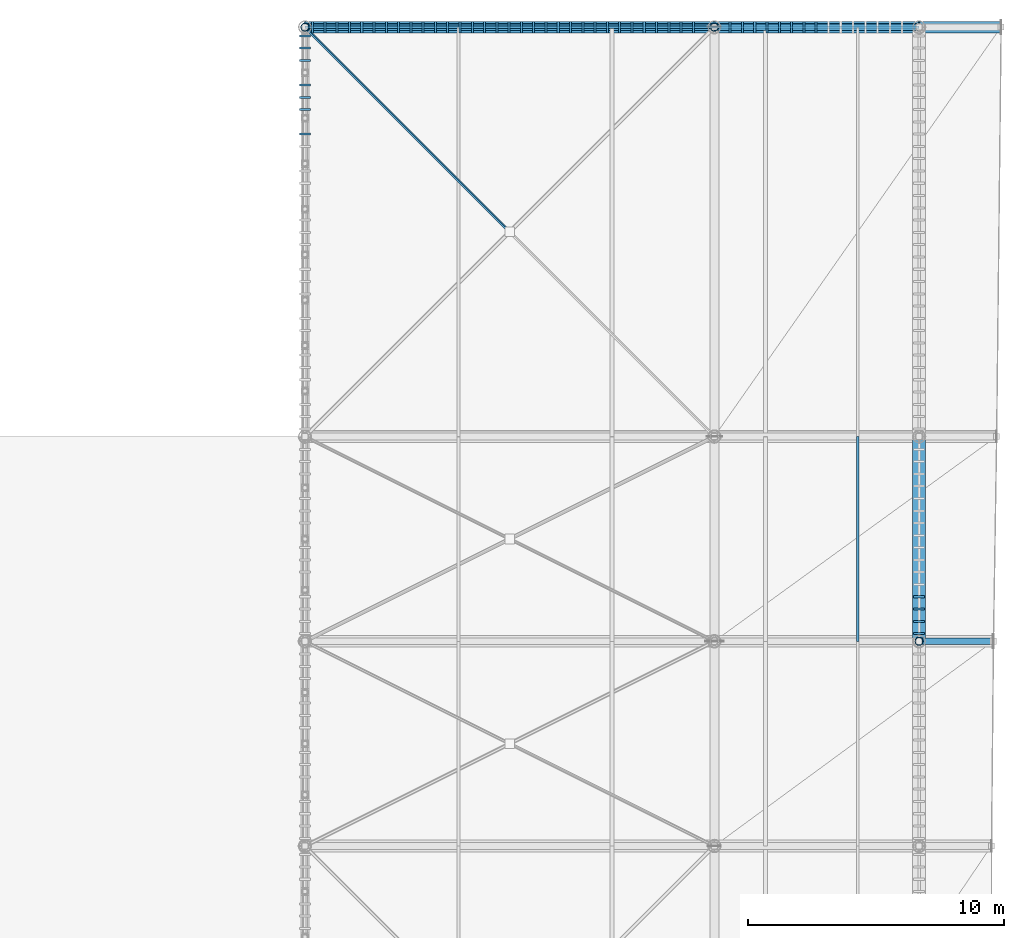
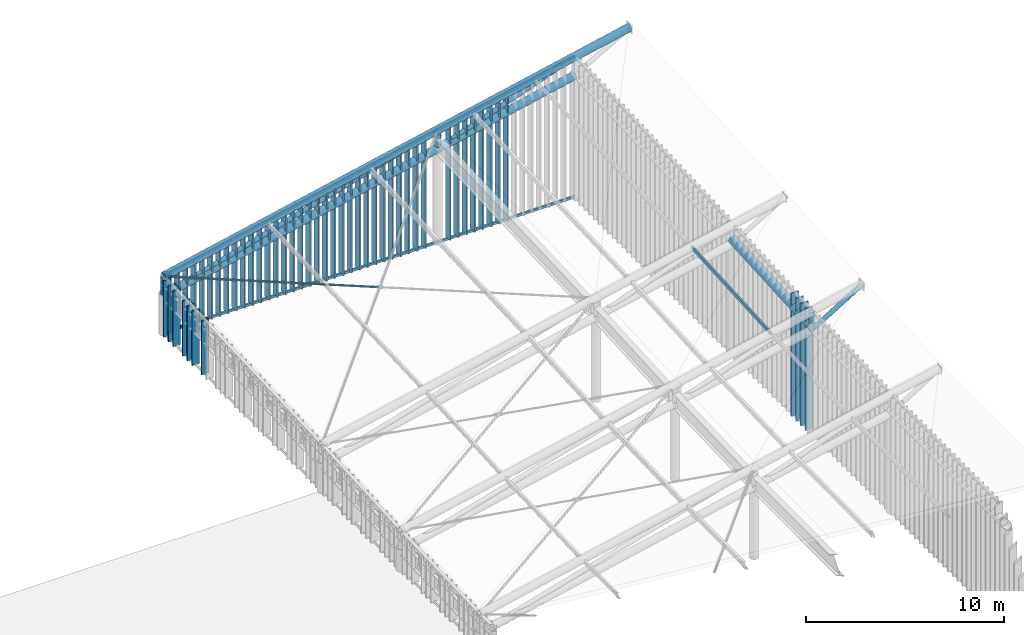
# One storey, part 12 of 25: 63 members, 1 beam.
"""IFC4 building model written with IfcOpenShell, lengths in metres."""

from ifc_helpers import new_model, si_unit, direction, frame, origin, origin_2d, place, context, subcontext, project, spatial, rectangle, hollow_rectangle, hollow_circle, extrude, material, material_profile, profile_set, type_object, element, save


model = new_model("IFC4")

# Units and contexts
model_context = context("Model", 3, precision=1e-05, world=origin(), true_north=direction((0.0, 1.0)))
body_context = subcontext(model_context, "Body", "Model", "MODEL_VIEW")
ifc_project = project(units=[si_unit("LENGTHUNIT", "METRE"), si_unit("AREAUNIT", "SQUARE_METRE"), si_unit("VOLUMEUNIT", "CUBIC_METRE"), si_unit("PLANEANGLEUNIT", "RADIAN"), si_unit("MASSUNIT", "GRAM", prefix="KILO")], contexts=[model_context])

# Site, building, storey
site_placement = place(None, origin())
site = spatial("IfcSite", under=ifc_project, at=site_placement, CompositionType="ELEMENT")
building_placement = place(site_placement, origin())
building = spatial("IfcBuilding", under=site, at=building_placement, Name="Haebicheon Civic Stadium", CompositionType="ELEMENT")
storey_placement = place(building_placement, frame((0.0, 0.0, 31.199951171875)))
storey = spatial("IfcBuildingStorey", under=building, at=storey_placement, Name="RF", CompositionType="ELEMENT", Elevation=31.199951171875)

# Members
ifc_material_1 = material(Name="White painted steel SM490", Category="steel")
ifc_material_profile_1 = material_profile(ifc_material_1, hollow_circle(Radius=0.05712890625, WallThickness=0.006103515625, at=origin_2d()), Name="CHS-114.3x6.0")
ifc_profile_set_1 = profile_set([ifc_material_profile_1], Name="White painted steel SM490")
member_type_1 = type_object("IfcMemberType", Name="BRC-CHS114", PredefinedType="BRACE", material=ifc_profile_set_1)
member_1_placement = place(storey_placement, frame((48.0, 136.0, 3.52099609375), z_axis=(0.701883324808, -0.701883324808, 0.121324345097), x_axis=(0.707106781187, 0.707106781187, 0.0)))
element("IfcMember", 1, at=member_1_placement, inside=storey, type_object=member_type_1, material=ifc_profile_set_1, Name="BR114 diagonal brace CAN-WEST canopy bay 8 B1", PredefinedType="BRACE", context=body_context, shape_type="SweptSolid", body=[
    extrude(hollow_circle(Radius=0.05712890625, WallThickness=0.006103515625, at=origin_2d()), origin(), (0.0, 0.0, 1.0), 11.3251953125),
])
ifc_material_2 = material(Name="White painted steel SM490", Category="steel")
ifc_material_profile_2 = material_profile(ifc_material_2, hollow_circle(Radius=0.1337890625, WallThickness=0.011962890625, at=origin_2d()), Name="CHS-267.4x12.0")
ifc_profile_set_2 = profile_set([ifc_material_profile_2], Name="White painted steel SM490")
member_type_2 = type_object("IfcMemberType", Name="BRC-CHS267", PredefinedType="BRACE", material=ifc_profile_set_2)
member_2_placement = place(storey_placement, frame((72.118896484375, 112.0, 6.448974609375), z_axis=(0.853187395002, 0.0, 0.521604513984), x_axis=(0.0, 1.0, 0.0)))
element("IfcMember", 2, at=member_2_placement, inside=storey, type_object=member_type_2, material=ifc_profile_set_2, Name="BR267 diagonal brace CAN-WEST truss 7 tip", PredefinedType="BRACE", context=body_context, shape_type="SweptSolid", body=[
    extrude(hollow_circle(Radius=0.1337890625, WallThickness=0.011962890625, at=origin_2d()), origin(), (0.0, 0.0, 1.0), 3.259521484375),
])
member_3_placement = place(storey_placement, frame((48.0, 136.0, 2.37109375), z_axis=(0.961231166105, 0.0, 0.275743803753), x_axis=(0.0, 1.0, 0.0)))
element("IfcMember", 3, at=member_3_placement, inside=storey, type_object=member_type_2, material=ifc_profile_set_2, Name="BR267 diagonal brace CAN-WEST truss 9 D1", PredefinedType="BRACE", context=body_context, shape_type="SweptSolid", body=[
    extrude(hollow_circle(Radius=0.1337890625, WallThickness=0.011962890625, at=origin_2d()), origin(), (0.0, 0.0, 1.0), 16.645263671875),
])
member_4_placement = place(storey_placement, frame((64.0, 136.0, 5.81103515625), z_axis=(0.941257424358, 0.0, 0.337689888939), x_axis=(0.0, 1.0, 0.0)))
element("IfcMember", 4, at=member_4_placement, inside=storey, type_object=member_type_2, material=ifc_profile_set_2, Name="BR267 diagonal brace CAN-WEST truss 9 D2", PredefinedType="BRACE", context=body_context, shape_type="SweptSolid", body=[
    extrude(hollow_circle(Radius=0.1337890625, WallThickness=0.011962890625, at=origin_2d()), origin(), (0.0, 0.0, 1.0), 8.499267578125),
])
ifc_material_3 = material(Name="White painted steel SM490", Category="steel")
ifc_material_profile_3 = material_profile(ifc_material_3, hollow_circle(Radius=0.228515625, WallThickness=0.02197265625, at=origin_2d()), Name="CHS-457.2x22.0")
ifc_profile_set_3 = profile_set([ifc_material_profile_3], Name="White painted steel SM490")
member_type_3 = type_object("IfcMemberType", Name="CHD-CHS457", PredefinedType="CHORD", material=ifc_profile_set_3)
member_5_placement = place(storey_placement, frame((48.0, 136.0, 3.52099609375), z_axis=(0.977657968939, 0.0, 0.210202035598), x_axis=(0.0, 1.0, 0.0)))
element("IfcMember", 5, at=member_5_placement, inside=storey, type_object=member_type_3, material=ifc_profile_set_3, Name="CH457 truss chord CAN-WEST 9 top", PredefinedType="CHORD", context=body_context, shape_type="SweptSolid", body=[
    extrude(hollow_circle(Radius=0.228515625, WallThickness=0.02197265625, at=origin_2d()), origin(), (0.0, 0.0, 1.0), 27.821533203125),
])
member_6_placement = place(storey_placement, frame((48.0, 136.0, 2.37109375), z_axis=(0.977659849808, 0.0, 0.210193287411), x_axis=(0.0, 1.0, 0.0)))
element("IfcMember", 6, at=member_6_placement, inside=storey, type_object=member_type_3, material=ifc_profile_set_3, Name="CH457 truss chord CAN-WEST 9 bottom", PredefinedType="CHORD", context=body_context, shape_type="SweptSolid", body=[
    extrude(hollow_circle(Radius=0.228515625, WallThickness=0.02197265625, at=origin_2d()), origin(), (0.0, 0.0, 1.0), 24.54833984375),
])
ifc_material_4 = material(Name="Acetylated timber GL28h", Category="wood")
ifc_material_profile_4 = material_profile(ifc_material_4, rectangle(XDim=0.080078125, YDim=0.43994140625, at=origin_2d()), Name="TMB-LOUV-80x440")
ifc_profile_set_4 = profile_set([ifc_material_profile_4], Name="Acetylated timber GL28h")
member_type_4 = type_object("IfcMemberType", Name="CRN-LVR-440x80", PredefinedType="PLATE", material=ifc_profile_set_4)
member_7_placement = place(storey_placement, frame((48.0, 131.820068359375, 0.050048828125), z_axis=(0.0, 0.0, 1.0), x_axis=(0.0, 1.0, 0.0)))
element("IfcMember", 7, at=member_7_placement, inside=storey, type_object=member_type_4, material=ifc_profile_set_4, Name="Crown wind-baffle slat W.8.25", PredefinedType="PLATE", context=body_context, shape_type="SweptSolid", body=[
    extrude(rectangle(XDim=0.080078125, YDim=0.43994140625, at=origin_2d()), origin(), (0.0, 0.0, 1.0), 3.323974609375),
])
member_8_placement = place(storey_placement, frame((48.0, 132.780029296875, 0.050048828125), z_axis=(0.0, 0.0, 1.0), x_axis=(0.0, 1.0, 0.0)))
element("IfcMember", 8, at=member_8_placement, inside=storey, type_object=member_type_4, material=ifc_profile_set_4, Name="Crown wind-baffle slat W.8.27", PredefinedType="PLATE", context=body_context, shape_type="SweptSolid", body=[
    extrude(rectangle(XDim=0.080078125, YDim=0.43994140625, at=origin_2d()), origin(), (0.0, 0.0, 1.0), 3.364013671875),
])
member_9_placement = place(storey_placement, frame((48.0, 133.260009765625, 0.050048828125), z_axis=(0.0, 0.0, 1.0), x_axis=(0.0, 1.0, 0.0)))
element("IfcMember", 9, at=member_9_placement, inside=storey, type_object=member_type_4, material=ifc_profile_set_4, Name="Crown wind-baffle slat W.8.28", PredefinedType="PLATE", context=body_context, shape_type="SweptSolid", body=[
    extrude(rectangle(XDim=0.080078125, YDim=0.43994140625, at=origin_2d()), origin(), (0.0, 0.0, 1.0), 3.385009765625),
])
member_10_placement = place(storey_placement, frame((48.0, 133.739990234375, 0.050048828125), z_axis=(0.0, 0.0, 1.0), x_axis=(0.0, 1.0, 0.0)))
element("IfcMember", 10, at=member_10_placement, inside=storey, type_object=member_type_4, material=ifc_profile_set_4, Name="Crown wind-baffle slat W.8.29", PredefinedType="PLATE", context=body_context, shape_type="SweptSolid", body=[
    extrude(rectangle(XDim=0.080078125, YDim=0.43994140625, at=origin_2d()), origin(), (0.0, 0.0, 1.0), 3.405029296875),
])
member_11_placement = place(storey_placement, frame((48.0, 134.699951171875, 0.050048828125), z_axis=(0.0, 0.0, 1.0), x_axis=(0.0, 1.0, 0.0)))
element("IfcMember", 11, at=member_11_placement, inside=storey, type_object=member_type_4, material=ifc_profile_set_4, Name="Crown wind-baffle slat W.8.31", PredefinedType="PLATE", context=body_context, shape_type="SweptSolid", body=[
    extrude(rectangle(XDim=0.080078125, YDim=0.43994140625, at=origin_2d()), origin(), (0.0, 0.0, 1.0), 3.445068359375),
])
member_12_placement = place(storey_placement, frame((48.0, 135.179931640625, 0.050048828125), z_axis=(0.0, 0.0, 1.0), x_axis=(0.0, 1.0, 0.0)))
element("IfcMember", 12, at=member_12_placement, inside=storey, type_object=member_type_4, material=ifc_profile_set_4, Name="Crown wind-baffle slat W.8.32", PredefinedType="PLATE", context=body_context, shape_type="SweptSolid", body=[
    extrude(rectangle(XDim=0.080078125, YDim=0.43994140625, at=origin_2d()), origin(), (0.0, 0.0, 1.0), 3.465087890625),
])
member_13_placement = place(storey_placement, frame((48.0, 135.659912109375, 0.050048828125), z_axis=(0.0, 0.0, 1.0), x_axis=(0.0, 1.0, 0.0)))
element("IfcMember", 13, at=member_13_placement, inside=storey, type_object=member_type_4, material=ifc_profile_set_4, Name="Crown wind-baffle slat W.8.33", PredefinedType="PLATE", context=body_context, shape_type="SweptSolid", body=[
    extrude(rectangle(XDim=0.080078125, YDim=0.43994140625, at=origin_2d()), origin(), (0.0, 0.0, 1.0), 3.486083984375),
])
member_14_placement = place(storey_placement, frame((72.0, 112.300048828125, 0.050048828125), z_axis=(0.0, 0.0, 1.0), x_axis=(0.0, 1.0, 0.0)))
element("IfcMember", 14, at=member_14_placement, inside=storey, type_object=member_type_4, material=ifc_profile_set_4, Name="Crown wind-baffle slat E.7.1", PredefinedType="PLATE", context=body_context, shape_type="SweptSolid", body=[
    extrude(rectangle(XDim=0.080078125, YDim=0.43994140625, at=origin_2d()), origin(), (0.0, 0.0, 1.0), 7.52294921875),
])
member_15_placement = place(storey_placement, frame((72.0, 112.780029296875, 0.050048828125), z_axis=(0.0, 0.0, 1.0), x_axis=(0.0, 1.0, 0.0)))
element("IfcMember", 15, at=member_15_placement, inside=storey, type_object=member_type_4, material=ifc_profile_set_4, Name="Crown wind-baffle slat E.7.2", PredefinedType="PLATE", context=body_context, shape_type="SweptSolid", body=[
    extrude(rectangle(XDim=0.080078125, YDim=0.43994140625, at=origin_2d()), origin(), (0.0, 0.0, 1.0), 7.552001953125),
])
member_16_placement = place(storey_placement, frame((72.0, 113.260009765625, 0.050048828125), z_axis=(0.0, 0.0, 1.0), x_axis=(0.0, 1.0, 0.0)))
element("IfcMember", 16, at=member_16_placement, inside=storey, type_object=member_type_4, material=ifc_profile_set_4, Name="Crown wind-baffle slat E.7.3", PredefinedType="PLATE", context=body_context, shape_type="SweptSolid", body=[
    extrude(rectangle(XDim=0.080078125, YDim=0.43994140625, at=origin_2d()), origin(), (0.0, 0.0, 1.0), 7.5810546875),
])
member_17_placement = place(storey_placement, frame((72.0, 113.739990234375, 0.050048828125), z_axis=(0.0, 0.0, 1.0), x_axis=(0.0, 1.0, 0.0)))
element("IfcMember", 17, at=member_17_placement, inside=storey, type_object=member_type_4, material=ifc_profile_set_4, Name="Crown wind-baffle slat E.7.4", PredefinedType="PLATE", context=body_context, shape_type="SweptSolid", body=[
    extrude(rectangle(XDim=0.080078125, YDim=0.43994140625, at=origin_2d()), origin(), (0.0, 0.0, 1.0), 7.610107421875),
])
member_18_placement = place(storey_placement, frame((48.300048828125, 136.0, 0.050048828125), z_axis=(0.0, 0.0, 1.0), x_axis=(1.0, 0.0, 0.0)))
element("IfcMember", 18, at=member_18_placement, inside=storey, type_object=member_type_4, material=ifc_profile_set_4, Name="Crown gable wind-baffle slat N.1", PredefinedType="PLATE", context=body_context, shape_type="SweptSolid", body=[
    extrude(rectangle(XDim=0.080078125, YDim=0.43994140625, at=origin_2d()), origin(), (0.0, 0.0, 1.0), 3.56396484375),
])
member_19_placement = place(storey_placement, frame((48.780029296875, 136.0, 0.050048828125), z_axis=(0.0, 0.0, 1.0), x_axis=(1.0, 0.0, 0.0)))
element("IfcMember", 19, at=member_19_placement, inside=storey, type_object=member_type_4, material=ifc_profile_set_4, Name="Crown gable wind-baffle slat N.2", PredefinedType="PLATE", context=body_context, shape_type="SweptSolid", body=[
    extrude(rectangle(XDim=0.080078125, YDim=0.43994140625, at=origin_2d()), origin(), (0.0, 0.0, 1.0), 3.66796875),
])
member_20_placement = place(storey_placement, frame((49.260009765625, 136.0, 0.050048828125), z_axis=(0.0, 0.0, 1.0), x_axis=(1.0, 0.0, 0.0)))
element("IfcMember", 20, at=member_20_placement, inside=storey, type_object=member_type_4, material=ifc_profile_set_4, Name="Crown gable wind-baffle slat N.3", PredefinedType="PLATE", context=body_context, shape_type="SweptSolid", body=[
    extrude(rectangle(XDim=0.080078125, YDim=0.43994140625, at=origin_2d()), origin(), (0.0, 0.0, 1.0), 3.77099609375),
])
member_21_placement = place(storey_placement, frame((49.739990234375, 136.0, 0.050048828125), z_axis=(0.0, 0.0, 1.0), x_axis=(1.0, 0.0, 0.0)))
element("IfcMember", 21, at=member_21_placement, inside=storey, type_object=member_type_4, material=ifc_profile_set_4, Name="Crown gable wind-baffle slat N.4", PredefinedType="PLATE", context=body_context, shape_type="SweptSolid", body=[
    extrude(rectangle(XDim=0.080078125, YDim=0.43994140625, at=origin_2d()), origin(), (0.0, 0.0, 1.0), 3.8740234375),
])
member_22_placement = place(storey_placement, frame((50.219970703125, 136.0, 0.050048828125), z_axis=(0.0, 0.0, 1.0), x_axis=(1.0, 0.0, 0.0)))
element("IfcMember", 22, at=member_22_placement, inside=storey, type_object=member_type_4, material=ifc_profile_set_4, Name="Crown gable wind-baffle slat N.5", PredefinedType="PLATE", context=body_context, shape_type="SweptSolid", body=[
    extrude(rectangle(XDim=0.080078125, YDim=0.43994140625, at=origin_2d()), origin(), (0.0, 0.0, 1.0), 3.97705078125),
])
member_23_placement = place(storey_placement, frame((50.699951171875, 136.0, 0.050048828125), z_axis=(0.0, 0.0, 1.0), x_axis=(1.0, 0.0, 0.0)))
element("IfcMember", 23, at=member_23_placement, inside=storey, type_object=member_type_4, material=ifc_profile_set_4, Name="Crown gable wind-baffle slat N.6", PredefinedType="PLATE", context=body_context, shape_type="SweptSolid", body=[
    extrude(rectangle(XDim=0.080078125, YDim=0.43994140625, at=origin_2d()), origin(), (0.0, 0.0, 1.0), 4.080078125),
])
member_24_placement = place(storey_placement, frame((51.179931640625, 136.0, 0.050048828125), z_axis=(0.0, 0.0, 1.0), x_axis=(1.0, 0.0, 0.0)))
element("IfcMember", 24, at=member_24_placement, inside=storey, type_object=member_type_4, material=ifc_profile_set_4, Name="Crown gable wind-baffle slat N.7", PredefinedType="PLATE", context=body_context, shape_type="SweptSolid", body=[
    extrude(rectangle(XDim=0.080078125, YDim=0.43994140625, at=origin_2d()), origin(), (0.0, 0.0, 1.0), 4.18408203125),
])
member_25_placement = place(storey_placement, frame((51.659912109375, 136.0, 0.050048828125), z_axis=(0.0, 0.0, 1.0), x_axis=(1.0, 0.0, 0.0)))
element("IfcMember", 25, at=member_25_placement, inside=storey, type_object=member_type_4, material=ifc_profile_set_4, Name="Crown gable wind-baffle slat N.8", PredefinedType="PLATE", context=body_context, shape_type="SweptSolid", body=[
    extrude(rectangle(XDim=0.080078125, YDim=0.43994140625, at=origin_2d()), origin(), (0.0, 0.0, 1.0), 4.287109375),
])
member_26_placement = place(storey_placement, frame((52.139892578125, 136.0, 0.050048828125), z_axis=(0.0, 0.0, 1.0), x_axis=(1.0, 0.0, 0.0)))
element("IfcMember", 26, at=member_26_placement, inside=storey, type_object=member_type_4, material=ifc_profile_set_4, Name="Crown gable wind-baffle slat N.9", PredefinedType="PLATE", context=body_context, shape_type="SweptSolid", body=[
    extrude(rectangle(XDim=0.080078125, YDim=0.43994140625, at=origin_2d()), origin(), (0.0, 0.0, 1.0), 4.389892578125),
])
member_27_placement = place(storey_placement, frame((52.6201171875, 136.0, 0.050048828125), z_axis=(0.0, 0.0, 1.0), x_axis=(1.0, 0.0, 0.0)))
element("IfcMember", 27, at=member_27_placement, inside=storey, type_object=member_type_4, material=ifc_profile_set_4, Name="Crown gable wind-baffle slat N.10", PredefinedType="PLATE", context=body_context, shape_type="SweptSolid", body=[
    extrude(rectangle(XDim=0.080078125, YDim=0.43994140625, at=origin_2d()), origin(), (0.0, 0.0, 1.0), 4.492919921875),
])
member_28_placement = place(storey_placement, frame((53.10009765625, 136.0, 0.050048828125), z_axis=(0.0, 0.0, 1.0), x_axis=(1.0, 0.0, 0.0)))
element("IfcMember", 28, at=member_28_placement, inside=storey, type_object=member_type_4, material=ifc_profile_set_4, Name="Crown gable wind-baffle slat N.11", PredefinedType="PLATE", context=body_context, shape_type="SweptSolid", body=[
    extrude(rectangle(XDim=0.080078125, YDim=0.43994140625, at=origin_2d()), origin(), (0.0, 0.0, 1.0), 4.595947265625),
])
member_29_placement = place(storey_placement, frame((53.580078125, 136.0, 0.050048828125), z_axis=(0.0, 0.0, 1.0), x_axis=(1.0, 0.0, 0.0)))
element("IfcMember", 29, at=member_29_placement, inside=storey, type_object=member_type_4, material=ifc_profile_set_4, Name="Crown gable wind-baffle slat N.12", PredefinedType="PLATE", context=body_context, shape_type="SweptSolid", body=[
    extrude(rectangle(XDim=0.080078125, YDim=0.43994140625, at=origin_2d()), origin(), (0.0, 0.0, 1.0), 4.699951171875),
])
member_30_placement = place(storey_placement, frame((54.06005859375, 136.0, 0.050048828125), z_axis=(0.0, 0.0, 1.0), x_axis=(1.0, 0.0, 0.0)))
element("IfcMember", 30, at=member_30_placement, inside=storey, type_object=member_type_4, material=ifc_profile_set_4, Name="Crown gable wind-baffle slat N.13", PredefinedType="PLATE", context=body_context, shape_type="SweptSolid", body=[
    extrude(rectangle(XDim=0.080078125, YDim=0.43994140625, at=origin_2d()), origin(), (0.0, 0.0, 1.0), 4.802978515625),
])
member_31_placement = place(storey_placement, frame((54.5400390625, 136.0, 0.050048828125), z_axis=(0.0, 0.0, 1.0), x_axis=(1.0, 0.0, 0.0)))
element("IfcMember", 31, at=member_31_placement, inside=storey, type_object=member_type_4, material=ifc_profile_set_4, Name="Crown gable wind-baffle slat N.14", PredefinedType="PLATE", context=body_context, shape_type="SweptSolid", body=[
    extrude(rectangle(XDim=0.080078125, YDim=0.43994140625, at=origin_2d()), origin(), (0.0, 0.0, 1.0), 4.906005859375),
])
member_32_placement = place(storey_placement, frame((55.02001953125, 136.0, 0.050048828125), z_axis=(0.0, 0.0, 1.0), x_axis=(1.0, 0.0, 0.0)))
element("IfcMember", 32, at=member_32_placement, inside=storey, type_object=member_type_4, material=ifc_profile_set_4, Name="Crown gable wind-baffle slat N.15", PredefinedType="PLATE", context=body_context, shape_type="SweptSolid", body=[
    extrude(rectangle(XDim=0.080078125, YDim=0.43994140625, at=origin_2d()), origin(), (0.0, 0.0, 1.0), 5.009033203125),
])
member_33_placement = place(storey_placement, frame((55.5, 136.0, 0.050048828125), z_axis=(0.0, 0.0, 1.0), x_axis=(1.0, 0.0, 0.0)))
element("IfcMember", 33, at=member_33_placement, inside=storey, type_object=member_type_4, material=ifc_profile_set_4, Name="Crown gable wind-baffle slat N.16", PredefinedType="PLATE", context=body_context, shape_type="SweptSolid", body=[
    extrude(rectangle(XDim=0.080078125, YDim=0.43994140625, at=origin_2d()), origin(), (0.0, 0.0, 1.0), 5.112060546875),
])
member_34_placement = place(storey_placement, frame((55.97998046875, 136.0, 0.050048828125), z_axis=(0.0, 0.0, 1.0), x_axis=(1.0, 0.0, 0.0)))
element("IfcMember", 34, at=member_34_placement, inside=storey, type_object=member_type_4, material=ifc_profile_set_4, Name="Crown gable wind-baffle slat N.17", PredefinedType="PLATE", context=body_context, shape_type="SweptSolid", body=[
    extrude(rectangle(XDim=0.080078125, YDim=0.43994140625, at=origin_2d()), origin(), (0.0, 0.0, 1.0), 5.216064453125),
])
member_35_placement = place(storey_placement, frame((56.4599609375, 136.0, 0.050048828125), z_axis=(0.0, 0.0, 1.0), x_axis=(1.0, 0.0, 0.0)))
element("IfcMember", 35, at=member_35_placement, inside=storey, type_object=member_type_4, material=ifc_profile_set_4, Name="Crown gable wind-baffle slat N.18", PredefinedType="PLATE", context=body_context, shape_type="SweptSolid", body=[
    extrude(rectangle(XDim=0.080078125, YDim=0.43994140625, at=origin_2d()), origin(), (0.0, 0.0, 1.0), 5.319091796875),
])
member_36_placement = place(storey_placement, frame((56.93994140625, 136.0, 0.050048828125), z_axis=(0.0, 0.0, 1.0), x_axis=(1.0, 0.0, 0.0)))
element("IfcMember", 36, at=member_36_placement, inside=storey, type_object=member_type_4, material=ifc_profile_set_4, Name="Crown gable wind-baffle slat N.19", PredefinedType="PLATE", context=body_context, shape_type="SweptSolid", body=[
    extrude(rectangle(XDim=0.080078125, YDim=0.43994140625, at=origin_2d()), origin(), (0.0, 0.0, 1.0), 5.422119140625),
])
member_37_placement = place(storey_placement, frame((57.419921875, 136.0, 0.050048828125), z_axis=(0.0, 0.0, 1.0), x_axis=(1.0, 0.0, 0.0)))
element("IfcMember", 37, at=member_37_placement, inside=storey, type_object=member_type_4, material=ifc_profile_set_4, Name="Crown gable wind-baffle slat N.20", PredefinedType="PLATE", context=body_context, shape_type="SweptSolid", body=[
    extrude(rectangle(XDim=0.080078125, YDim=0.43994140625, at=origin_2d()), origin(), (0.0, 0.0, 1.0), 5.52490234375),
])
member_38_placement = place(storey_placement, frame((57.89990234375, 136.0, 0.050048828125), z_axis=(0.0, 0.0, 1.0), x_axis=(1.0, 0.0, 0.0)))
element("IfcMember", 38, at=member_38_placement, inside=storey, type_object=member_type_4, material=ifc_profile_set_4, Name="Crown gable wind-baffle slat N.21", PredefinedType="PLATE", context=body_context, shape_type="SweptSolid", body=[
    extrude(rectangle(XDim=0.080078125, YDim=0.43994140625, at=origin_2d()), origin(), (0.0, 0.0, 1.0), 5.6279296875),
])
member_39_placement = place(storey_placement, frame((58.3798828125, 136.0, 0.050048828125), z_axis=(0.0, 0.0, 1.0), x_axis=(1.0, 0.0, 0.0)))
element("IfcMember", 39, at=member_39_placement, inside=storey, type_object=member_type_4, material=ifc_profile_set_4, Name="Crown gable wind-baffle slat N.22", PredefinedType="PLATE", context=body_context, shape_type="SweptSolid", body=[
    extrude(rectangle(XDim=0.080078125, YDim=0.43994140625, at=origin_2d()), origin(), (0.0, 0.0, 1.0), 5.73193359375),
])
member_40_placement = place(storey_placement, frame((58.860107421875, 136.0, 0.050048828125), z_axis=(0.0, 0.0, 1.0), x_axis=(1.0, 0.0, 0.0)))
element("IfcMember", 40, at=member_40_placement, inside=storey, type_object=member_type_4, material=ifc_profile_set_4, Name="Crown gable wind-baffle slat N.23", PredefinedType="PLATE", context=body_context, shape_type="SweptSolid", body=[
    extrude(rectangle(XDim=0.080078125, YDim=0.43994140625, at=origin_2d()), origin(), (0.0, 0.0, 1.0), 5.8349609375),
])
member_41_placement = place(storey_placement, frame((59.340087890625, 136.0, 0.050048828125), z_axis=(0.0, 0.0, 1.0), x_axis=(1.0, 0.0, 0.0)))
element("IfcMember", 41, at=member_41_placement, inside=storey, type_object=member_type_4, material=ifc_profile_set_4, Name="Crown gable wind-baffle slat N.24", PredefinedType="PLATE", context=body_context, shape_type="SweptSolid", body=[
    extrude(rectangle(XDim=0.080078125, YDim=0.43994140625, at=origin_2d()), origin(), (0.0, 0.0, 1.0), 5.93798828125),
])
member_42_placement = place(storey_placement, frame((59.820068359375, 136.0, 0.050048828125), z_axis=(0.0, 0.0, 1.0), x_axis=(1.0, 0.0, 0.0)))
element("IfcMember", 42, at=member_42_placement, inside=storey, type_object=member_type_4, material=ifc_profile_set_4, Name="Crown gable wind-baffle slat N.25", PredefinedType="PLATE", context=body_context, shape_type="SweptSolid", body=[
    extrude(rectangle(XDim=0.080078125, YDim=0.43994140625, at=origin_2d()), origin(), (0.0, 0.0, 1.0), 6.041015625),
])
member_43_placement = place(storey_placement, frame((60.300048828125, 136.0, 0.050048828125), z_axis=(0.0, 0.0, 1.0), x_axis=(1.0, 0.0, 0.0)))
element("IfcMember", 43, at=member_43_placement, inside=storey, type_object=member_type_4, material=ifc_profile_set_4, Name="Crown gable wind-baffle slat N.26", PredefinedType="PLATE", context=body_context, shape_type="SweptSolid", body=[
    extrude(rectangle(XDim=0.080078125, YDim=0.43994140625, at=origin_2d()), origin(), (0.0, 0.0, 1.0), 6.14404296875),
])
member_44_placement = place(storey_placement, frame((60.780029296875, 136.0, 0.050048828125), z_axis=(0.0, 0.0, 1.0), x_axis=(1.0, 0.0, 0.0)))
element("IfcMember", 44, at=member_44_placement, inside=storey, type_object=member_type_4, material=ifc_profile_set_4, Name="Crown gable wind-baffle slat N.27", PredefinedType="PLATE", context=body_context, shape_type="SweptSolid", body=[
    extrude(rectangle(XDim=0.080078125, YDim=0.43994140625, at=origin_2d()), origin(), (0.0, 0.0, 1.0), 6.248046875),
])
member_45_placement = place(storey_placement, frame((61.260009765625, 136.0, 0.050048828125), z_axis=(0.0, 0.0, 1.0), x_axis=(1.0, 0.0, 0.0)))
element("IfcMember", 45, at=member_45_placement, inside=storey, type_object=member_type_4, material=ifc_profile_set_4, Name="Crown gable wind-baffle slat N.28", PredefinedType="PLATE", context=body_context, shape_type="SweptSolid", body=[
    extrude(rectangle(XDim=0.080078125, YDim=0.43994140625, at=origin_2d()), origin(), (0.0, 0.0, 1.0), 6.35107421875),
])
member_46_placement = place(storey_placement, frame((61.739990234375, 136.0, 0.050048828125), z_axis=(0.0, 0.0, 1.0), x_axis=(1.0, 0.0, 0.0)))
element("IfcMember", 46, at=member_46_placement, inside=storey, type_object=member_type_4, material=ifc_profile_set_4, Name="Crown gable wind-baffle slat N.29", PredefinedType="PLATE", context=body_context, shape_type="SweptSolid", body=[
    extrude(rectangle(XDim=0.080078125, YDim=0.43994140625, at=origin_2d()), origin(), (0.0, 0.0, 1.0), 6.4541015625),
])
member_47_placement = place(storey_placement, frame((62.219970703125, 136.0, 0.050048828125), z_axis=(0.0, 0.0, 1.0), x_axis=(1.0, 0.0, 0.0)))
element("IfcMember", 47, at=member_47_placement, inside=storey, type_object=member_type_4, material=ifc_profile_set_4, Name="Crown gable wind-baffle slat N.30", PredefinedType="PLATE", context=body_context, shape_type="SweptSolid", body=[
    extrude(rectangle(XDim=0.080078125, YDim=0.43994140625, at=origin_2d()), origin(), (0.0, 0.0, 1.0), 6.556884765625),
])
member_48_placement = place(storey_placement, frame((62.699951171875, 136.0, 0.050048828125), z_axis=(0.0, 0.0, 1.0), x_axis=(1.0, 0.0, 0.0)))
element("IfcMember", 48, at=member_48_placement, inside=storey, type_object=member_type_4, material=ifc_profile_set_4, Name="Crown gable wind-baffle slat N.31", PredefinedType="PLATE", context=body_context, shape_type="SweptSolid", body=[
    extrude(rectangle(XDim=0.080078125, YDim=0.43994140625, at=origin_2d()), origin(), (0.0, 0.0, 1.0), 6.659912109375),
])
member_49_placement = place(storey_placement, frame((63.179931640625, 136.0, 0.050048828125), z_axis=(0.0, 0.0, 1.0), x_axis=(1.0, 0.0, 0.0)))
element("IfcMember", 49, at=member_49_placement, inside=storey, type_object=member_type_4, material=ifc_profile_set_4, Name="Crown gable wind-baffle slat N.32", PredefinedType="PLATE", context=body_context, shape_type="SweptSolid", body=[
    extrude(rectangle(XDim=0.080078125, YDim=0.43994140625, at=origin_2d()), origin(), (0.0, 0.0, 1.0), 6.763916015625),
])
member_50_placement = place(storey_placement, frame((64.6201171875, 136.0, 0.050048828125), z_axis=(0.0, 0.0, 1.0), x_axis=(1.0, 0.0, 0.0)))
element("IfcMember", 50, at=member_50_placement, inside=storey, type_object=member_type_4, material=ifc_profile_set_4, Name="Crown gable wind-baffle slat N.35", PredefinedType="PLATE", context=body_context, shape_type="SweptSolid", body=[
    extrude(rectangle(XDim=0.080078125, YDim=0.43994140625, at=origin_2d()), origin(), (0.0, 0.0, 1.0), 7.072998046875),
])
member_51_placement = place(storey_placement, frame((65.10009765625, 136.0, 0.050048828125), z_axis=(0.0, 0.0, 1.0), x_axis=(1.0, 0.0, 0.0)))
element("IfcMember", 51, at=member_51_placement, inside=storey, type_object=member_type_4, material=ifc_profile_set_4, Name="Crown gable wind-baffle slat N.36", PredefinedType="PLATE", context=body_context, shape_type="SweptSolid", body=[
    extrude(rectangle(XDim=0.080078125, YDim=0.43994140625, at=origin_2d()), origin(), (0.0, 0.0, 1.0), 7.176025390625),
])
member_52_placement = place(storey_placement, frame((65.580078125, 136.0, 0.050048828125), z_axis=(0.0, 0.0, 1.0), x_axis=(1.0, 0.0, 0.0)))
element("IfcMember", 52, at=member_52_placement, inside=storey, type_object=member_type_4, material=ifc_profile_set_4, Name="Crown gable wind-baffle slat N.37", PredefinedType="PLATE", context=body_context, shape_type="SweptSolid", body=[
    extrude(rectangle(XDim=0.080078125, YDim=0.43994140625, at=origin_2d()), origin(), (0.0, 0.0, 1.0), 7.280029296875),
])
member_53_placement = place(storey_placement, frame((66.06005859375, 136.0, 0.050048828125), z_axis=(0.0, 0.0, 1.0), x_axis=(1.0, 0.0, 0.0)))
element("IfcMember", 53, at=member_53_placement, inside=storey, type_object=member_type_4, material=ifc_profile_set_4, Name="Crown gable wind-baffle slat N.38", PredefinedType="PLATE", context=body_context, shape_type="SweptSolid", body=[
    extrude(rectangle(XDim=0.080078125, YDim=0.43994140625, at=origin_2d()), origin(), (0.0, 0.0, 1.0), 7.383056640625),
])
member_54_placement = place(storey_placement, frame((66.5400390625, 136.0, 0.050048828125), z_axis=(0.0, 0.0, 1.0), x_axis=(1.0, 0.0, 0.0)))
element("IfcMember", 54, at=member_54_placement, inside=storey, type_object=member_type_4, material=ifc_profile_set_4, Name="Crown gable wind-baffle slat N.39", PredefinedType="PLATE", context=body_context, shape_type="SweptSolid", body=[
    extrude(rectangle(XDim=0.080078125, YDim=0.43994140625, at=origin_2d()), origin(), (0.0, 0.0, 1.0), 7.486083984375),
])
member_55_placement = place(storey_placement, frame((67.02001953125, 136.0, 0.050048828125), z_axis=(0.0, 0.0, 1.0), x_axis=(1.0, 0.0, 0.0)))
element("IfcMember", 55, at=member_55_placement, inside=storey, type_object=member_type_4, material=ifc_profile_set_4, Name="Crown gable wind-baffle slat N.40", PredefinedType="PLATE", context=body_context, shape_type="SweptSolid", body=[
    extrude(rectangle(XDim=0.080078125, YDim=0.43994140625, at=origin_2d()), origin(), (0.0, 0.0, 1.0), 7.589111328125),
])
member_56_placement = place(storey_placement, frame((67.5, 136.0, 0.050048828125), z_axis=(0.0, 0.0, 1.0), x_axis=(1.0, 0.0, 0.0)))
element("IfcMember", 56, at=member_56_placement, inside=storey, type_object=member_type_4, material=ifc_profile_set_4, Name="Crown gable wind-baffle slat N.41", PredefinedType="PLATE", context=body_context, shape_type="SweptSolid", body=[
    extrude(rectangle(XDim=0.080078125, YDim=0.43994140625, at=origin_2d()), origin(), (0.0, 0.0, 1.0), 7.69189453125),
])
member_57_placement = place(storey_placement, frame((67.97998046875, 136.0, 0.050048828125), z_axis=(0.0, 0.0, 1.0), x_axis=(1.0, 0.0, 0.0)))
element("IfcMember", 57, at=member_57_placement, inside=storey, type_object=member_type_4, material=ifc_profile_set_4, Name="Crown gable wind-baffle slat N.42", PredefinedType="PLATE", context=body_context, shape_type="SweptSolid", body=[
    extrude(rectangle(XDim=0.080078125, YDim=0.43994140625, at=origin_2d()), origin(), (0.0, 0.0, 1.0), 7.7958984375),
])
ifc_material_5 = material(Name="White painted steel SM490", Category="steel")
ifc_material_profile_5 = material_profile(ifc_material_5, hollow_rectangle(XDim=0.10009765625, YDim=0.199951171875, WallThickness=0.008056640625, at=origin_2d()), Name="RHS-200x100x8.0")
ifc_profile_set_5 = profile_set([ifc_material_profile_5], Name="White painted steel SM490")
member_type_5 = type_object("IfcMemberType", Name="PRL-RHS200", PredefinedType="RAFTER", material=ifc_profile_set_5)
member_58_placement = place(storey_placement, frame((69.60009765625, 112.0, 6.994140625), z_axis=(0.0, 0.998197699277, 0.060011275256), x_axis=(-1.0, 0.0, 0.0)))
element("IfcMember", 58, at=member_58_placement, inside=storey, type_object=member_type_5, material=ifc_profile_set_5, Name="CAN-WEST canopy purlin bay 7 (90%)", PredefinedType="RAFTER", context=body_context, shape_type="SweptSolid", body=[
    extrude(hollow_rectangle(XDim=0.10009765625, YDim=0.199951171875, WallThickness=0.008056640625, at=origin_2d()), origin(), (0.0, 0.0, 1.0), 8.014404296875),
])

# Beam
ifc_material_6 = material(Name="White painted steel SM490", Category="steel")
ifc_material_profile_6 = material_profile(ifc_material_6, hollow_circle(Radius=0.25390625, WallThickness=0.02490234375, at=origin_2d()), Name="CHS-508.0x25.0")
ifc_profile_set_6 = profile_set([ifc_material_profile_6], Name="White painted steel SM490")
beam_type = type_object("IfcBeamType", Name="RB-ST-CHS508", PredefinedType="USERDEFINED", material=ifc_profile_set_6)
beam_placement = place(storey_placement, frame((72.0, 112.0, 6.6259765625), z_axis=(0.0, 0.998197699277, 0.060011275256), x_axis=(-1.0, 0.0, 0.0)))
element("IfcBeam", 59, at=beam_placement, inside=storey, type_object=beam_type, material=ifc_profile_set_6, Name="CAN-WEST polygonal ring beam RB-PIR bay 7", ObjectType="RING BEAM", PredefinedType="USERDEFINED", context=body_context, shape_type="SweptSolid", body=[
    extrude(hollow_circle(Radius=0.25390625, WallThickness=0.02490234375, at=origin_2d()), origin(), (0.0, 0.0, 1.0), 8.014404296875),
])

# Members
ifc_material_7 = material(Name="White painted steel SM490", Category="steel")
ifc_material_profile_7 = material_profile(ifc_material_7, hollow_circle(Radius=0.1591796875, WallThickness=0.013916015625, at=origin_2d()), Name="CHS-318.5x14.0")
ifc_profile_set_7 = profile_set([ifc_material_profile_7], Name="White painted steel SM490")
member_type_6 = type_object("IfcMemberType", Name="STR-CHS318", PredefinedType="STRUT", material=ifc_profile_set_7)
member_59_placement = place(storey_placement, frame((72.0, 112.0, 6.3759765625), z_axis=(0.0, 0.0, 1.0), x_axis=(1.0, 0.0, 0.0)))
element("IfcMember", 60, at=member_59_placement, inside=storey, type_object=member_type_6, material=ifc_profile_set_7, Name="ST318 web strut CAN-WEST truss 7 VR", PredefinedType="STRUT", context=body_context, shape_type="SweptSolid", body=[
    extrude(hollow_circle(Radius=0.1591796875, WallThickness=0.013916015625, at=origin_2d()), origin(), (0.0, 0.0, 1.0), 1.150146484375),
])
for number, where, z_axis, x_axis, name in (
    (61, (48.0, 136.0, 2.37109375), (0.0, 0.0, 1.0), (1.0, 0.0, 0.0), "ST318 web strut CAN-WEST truss 9 VB"),
    (62, (64.0, 136.0, 5.81103515625), (0.0, 0.0, 1.0), (1.0, 0.0, 0.0), "ST318 web strut CAN-WEST truss 9 VP"),
):
    element("IfcMember", number, at=place(storey_placement, frame(where, z_axis=z_axis, x_axis=x_axis)), inside=storey, type_object=member_type_6, material=ifc_profile_set_7, Name=name, PredefinedType="STRUT", context=body_context, shape_type="SweptSolid", body=[
        extrude(hollow_circle(Radius=0.1591796875, WallThickness=0.013916015625, at=origin_2d()), origin(), (0.0, 0.0, 1.0), 1.14990234375),
    ])
ifc_material_8 = material(Name="Steel SM355 (S355)", Category="steel")
ifc_material_profile_8 = material_profile(ifc_material_8, hollow_rectangle(XDim=0.10009765625, YDim=0.14990234375, WallThickness=0.006103515625, at=origin_2d()), Name="RHS-150x100x6.0")
ifc_profile_set_8 = profile_set([ifc_material_profile_8], Name="Steel SM355 (S355)")
member_type_7 = type_object("IfcMemberType", Name="SUB-RHS150", PredefinedType="STRINGER", material=ifc_profile_set_8)
member_60_placement = place(storey_placement, frame((48.0, 136.0, 0.050048828125), z_axis=(1.0, 0.0, 0.0), x_axis=(0.0, 1.0, 0.0)))
element("IfcMember", 63, at=member_60_placement, inside=storey, type_object=member_type_7, material=ifc_profile_set_8, Name="Crown gable bottom rail N", PredefinedType="STRINGER", context=body_context, shape_type="SweptSolid", body=[
    extrude(hollow_rectangle(XDim=0.10009765625, YDim=0.14990234375, WallThickness=0.006103515625, at=origin_2d()), origin(), (0.0, 0.0, 1.0), 24.0),
])
member_61_placement = place(storey_placement, frame((48.0, 136.0, 3.550048828125), z_axis=(0.977659849808, 0.0, 0.210193287411), x_axis=(0.0, 1.0, 0.0)))
element("IfcMember", 64, at=member_61_placement, inside=storey, type_object=member_type_7, material=ifc_profile_set_8, Name="Crown gable top rail N", PredefinedType="STRINGER", context=body_context, shape_type="SweptSolid", body=[
    extrude(hollow_rectangle(XDim=0.10009765625, YDim=0.14990234375, WallThickness=0.006103515625, at=origin_2d()), origin(), (0.0, 0.0, 1.0), 24.54833984375),
])

save(model, "model.ifc")
